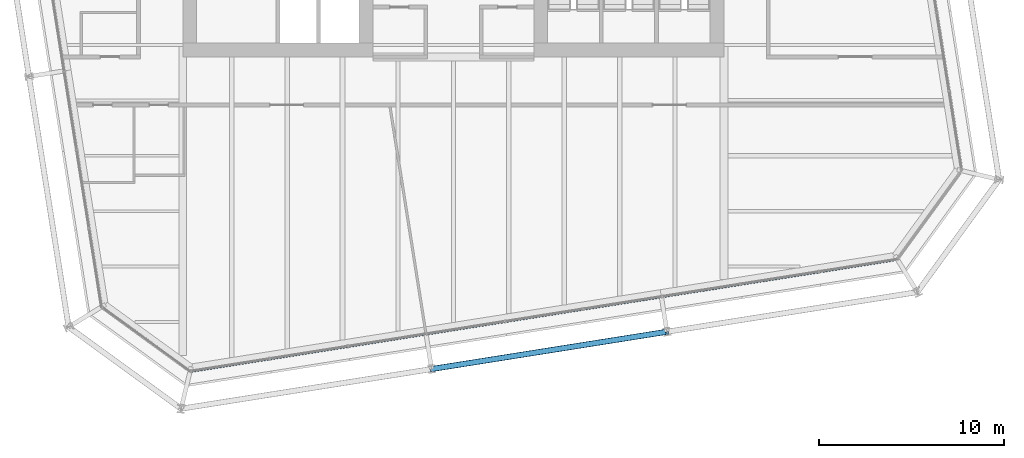
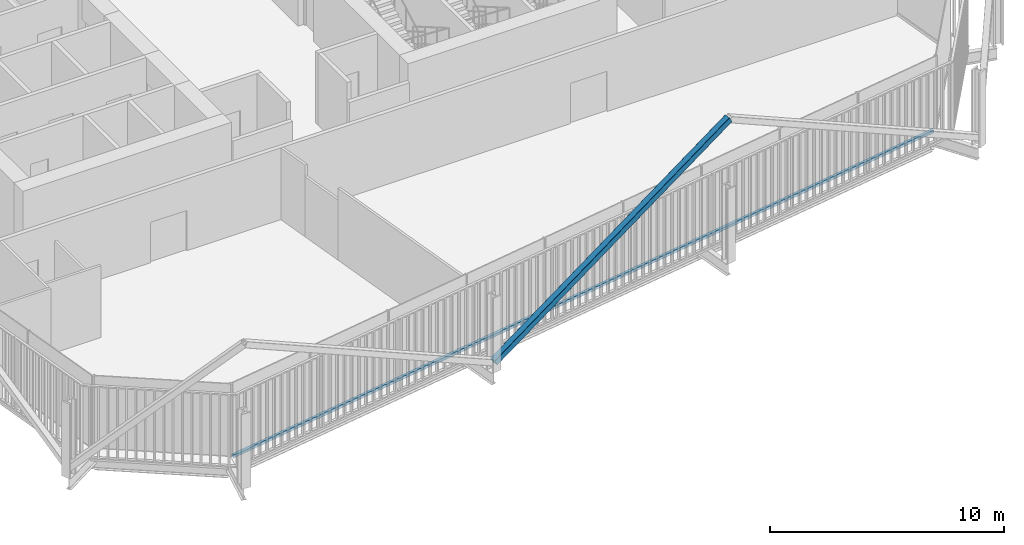
# One storey, part 7 of 22: 2 members, 1 element without a shape of its own.
"""IFC4 building model written with IfcOpenShell, lengths in metres."""

from ifc_helpers import new_model, si_unit, direction, frame, origin, origin_2d, place, context, subcontext, project, spatial, rectangle, hollow_rectangle, extrude, material, layer, layer_set, material_profile, profile_set, type_object, element, aggregate, save


model = new_model("IFC4")

# Units and contexts
model_context = context("Model", 3, precision=1e-05, world=origin(), true_north=direction((0.0, 1.0)))
body_context = subcontext(model_context, "Body", "Model", "MODEL_VIEW")
ifc_project = project(units=[si_unit("LENGTHUNIT", "METRE"), si_unit("AREAUNIT", "SQUARE_METRE"), si_unit("VOLUMEUNIT", "CUBIC_METRE"), si_unit("PLANEANGLEUNIT", "RADIAN"), si_unit("MASSUNIT", "GRAM", prefix="KILO")], contexts=[model_context])

# Site, building, storey
site_placement = place(None, origin())
site = spatial("IfcSite", under=ifc_project, at=site_placement, CompositionType="ELEMENT")
building_placement = place(site_placement, origin())
building = spatial("IfcBuilding", under=site, at=building_placement, Name="Millrace Tower", CompositionType="ELEMENT")
storey_placement = place(building_placement, frame((0.0, 0.0, 160.699951171875)))
storey = spatial("IfcBuildingStorey", under=building, at=storey_placement, Name="L36", CompositionType="ELEMENT", Elevation=160.699951171875)

# Curtain wall, member
ifc_material_1 = material(Name="Aluminium and glass", Category="aluminium")
ifc_layer = layer(ifc_material_1, 0.14990234375)
ifc_layer_set = layer_set([ifc_layer], Name="Aluminium and glass")
curtain_wall_type = type_object("IfcCurtainWallType", Name="CW-1 office vision curtain wall", PredefinedType="NOTDEFINED", material=ifc_layer_set)
curtain_wall_placement = place(storey_placement, origin())
curtain_wall = element("IfcCurtainWall", 1, at=curtain_wall_placement, inside=storey, type_object=curtain_wall_type, Name="Curtain wall C-F02 L36", PredefinedType="NOTDEFINED")
ifc_material_2 = material(Name="Aluminium", Category="aluminium")
ifc_material_profile_1 = material_profile(ifc_material_2, rectangle(XDim=0.14990234375, YDim=0.139892578125, at=origin_2d()))
ifc_profile_set_1 = profile_set([ifc_material_profile_1], Name="Aluminium")
member_type_1 = type_object("IfcMemberType", Name="CW-1 office vision curtain wall transom", PredefinedType="USERDEFINED", material=ifc_profile_set_1)
member_1_placement = place(storey_placement, frame((-14.125, -26.64599609375, 0.070068359375), z_axis=(0.987688350509, 0.156434402447, 0.0), x_axis=(-0.156434402447, 0.987688350509, 0.0)))
member_1 = element("IfcMember", 2, at=member_1_placement, type_object=member_type_1, Name="CW1 transom C-F02.1", ObjectType="TRANSOM", PredefinedType="USERDEFINED", context=body_context, shape_type="SweptSolid", body=[
    extrude(rectangle(XDim=0.14990234375, YDim=0.139892578125, at=origin_2d()), origin(), (0.0, 0.0, 1.0), 38.499755859375),
])
aggregate(curtain_wall, [member_1])

# Member
ifc_material_3 = material(Name="Steel ASTM A500 Grade C", Category="steel")
ifc_material_profile_2 = material_profile(ifc_material_3, hollow_rectangle(XDim=0.3046875, YDim=0.3046875, WallThickness=0.0126953125, InnerFilletRadius=0.00634765625, OuterFilletRadius=0.01904296875, at=origin_2d()))
ifc_profile_set_2 = profile_set([ifc_material_profile_2], Name="Steel ASTM A500 Grade C")
member_type_2 = type_object("IfcMemberType", Name="Exoskeleton brace HSS12x12x1/2", PredefinedType="BRACE", material=ifc_profile_set_2)
member_2_placement = place(storey_placement, frame((-1.181396484375, -26.545166015625, 0.400146484375), z_axis=(0.868109818913, 0.137501595477, 0.476947223022), x_axis=(-0.156441687909, 0.987687196578, 0.0)))
element("IfcMember", 3, at=member_2_placement, inside=storey, type_object=member_type_2, Name="BRC-C-L36-03", PredefinedType="BRACE", context=body_context, shape_type="SweptSolid", body=[
    extrude(hollow_rectangle(XDim=0.3046875, YDim=0.3046875, WallThickness=0.0126953125, InnerFilletRadius=0.00634765625, OuterFilletRadius=0.01904296875, at=origin_2d()), origin(), (0.0, 0.0, 1.0), 14.6767578125),
])

save(model, "model.ifc")
